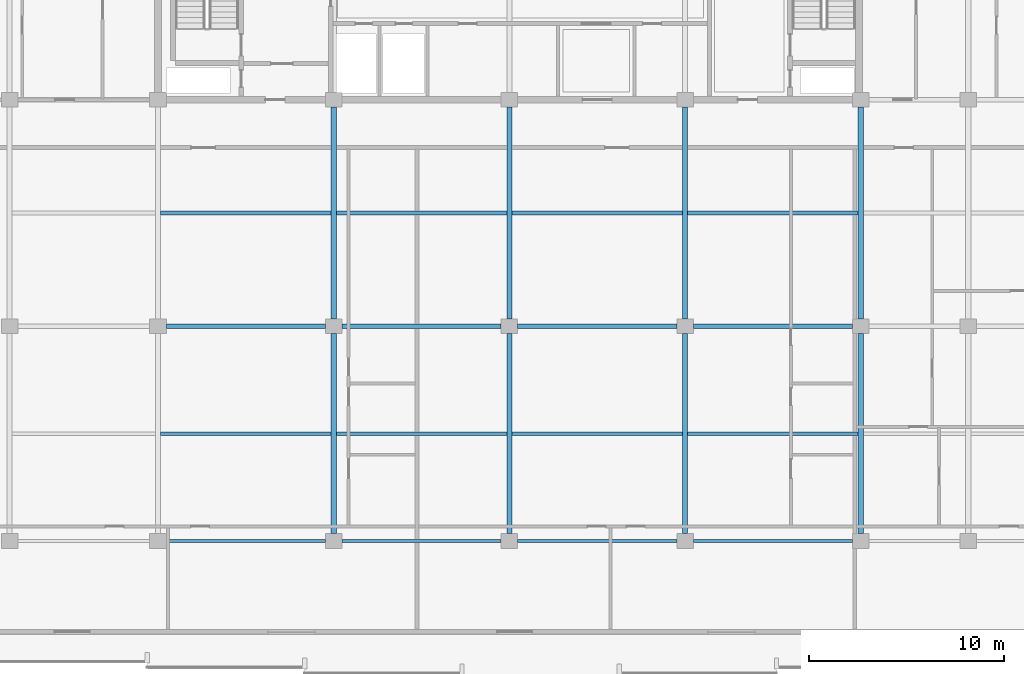
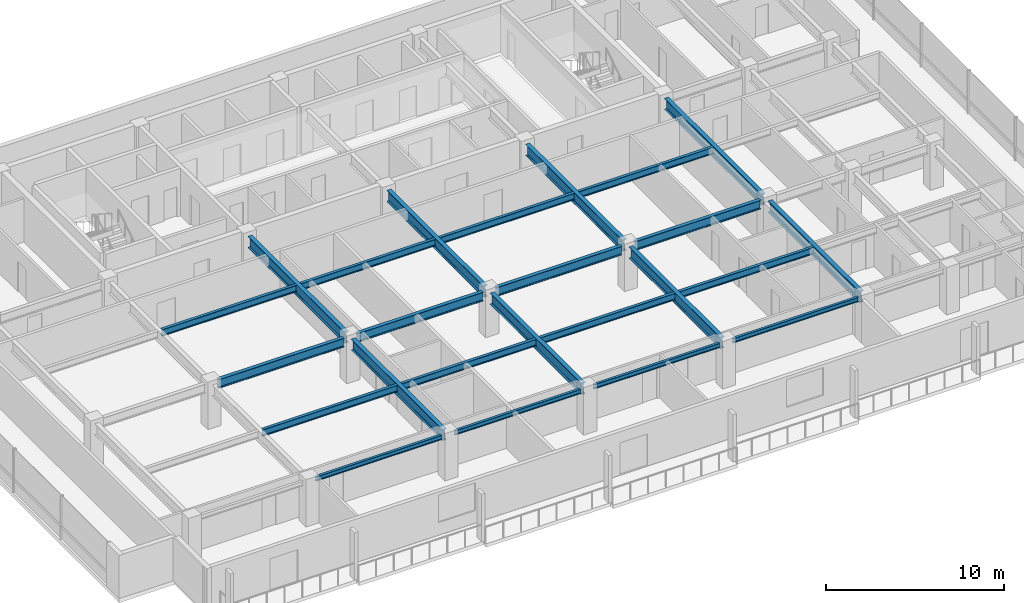
# One storey, part 4 of 38: 24 beams.
"""IFC4 building model written with IfcOpenShell, lengths in metres."""

import ifcopenshell
import ifcopenshell.guid

model = None  # the IFC model being written
_history = None  # IfcOwnerHistory: only IFC2X3 demands one
_inside = {}  # id of a spatial element -> (the spatial element, [elements in it])
_under = {}  # id of a project, library or spatial element -> (it, [spatial elements below it])
_declared = {}  # id of a project -> (the project, [libraries it declares])
_typed = {}  # id of a type object -> (the type object, [elements of that type])
_made_of = {}  # id of a material, layer set ... -> (it, [elements and type objects made of it])


def new_model(schema):
    """Start an empty IFC model of exactly this schema.

    Asked for "IFC4X3", IfcOpenShell would pick the latest addendum, in which some entities
    have other attributes; the version numbers below select the first issue.
    IFC2X3 requires an IfcOwnerHistory on every rooted entity: one is made here for all.
    """
    global model, _history
    if schema == "IFC4X3":
        model = ifcopenshell.file(schema_version=(4, 3, 0, 0))
    else:
        model = ifcopenshell.file(schema=schema)
    _inside.clear()
    _under.clear()
    _declared.clear()
    _typed.clear()
    _made_of.clear()
    _history = None
    if model.schema == "IFC2X3":
        org = make("IfcOrganization", Name="unknown")
        user = make(
            "IfcPersonAndOrganization",
            ThePerson=make("IfcPerson", FamilyName="unknown"),
            TheOrganization=org,
        )
        app = make(
            "IfcApplication",
            ApplicationDeveloper=org,
            Version="unknown",
            ApplicationFullName="unknown",
            ApplicationIdentifier="unknown",
        )
        _history = make(
            "IfcOwnerHistory",
            OwningUser=user,
            OwningApplication=app,
            ChangeAction="ADDED",
            CreationDate=0,
        )
    return model


def make(cls, **values):
    """One entity of the class cls with the attributes given. An attribute that is None is left unset."""
    return model.create_entity(
        cls, **{name: value for name, value in values.items() if value is not None}
    )


def rooted(cls, **values):
    """An entity with a GlobalId (a new one), such as an element, a storey or a relation."""
    return make(cls, GlobalId=ifcopenshell.guid.new(), OwnerHistory=_history, **values)


def si_unit(unit_type, name, prefix=None):
    """IfcSIUnit, for example si_unit("LENGTHUNIT", "METRE", prefix="MILLI")."""
    return make("IfcSIUnit", UnitType=unit_type, Prefix=prefix, Name=name)


def assignment(units):
    """IfcUnitAssignment: the units of a project."""
    return None if units is None else make("IfcUnitAssignment", Units=units)


def point(xyz):
    """IfcCartesianPoint."""
    return None if xyz is None else make("IfcCartesianPoint", Coordinates=xyz)


def direction(xyz):
    """IfcDirection."""
    return None if xyz is None else make("IfcDirection", DirectionRatios=xyz)


def frame(location, z_axis=None, x_axis=None):
    """IfcAxis2Placement3D, a coordinate frame: its origin and axes. An axis left out is left unset."""
    return make(
        "IfcAxis2Placement3D",
        Location=point(location),
        Axis=direction(z_axis),
        RefDirection=direction(x_axis),
    )


def frame_2d(location, x_axis=None):
    """IfcAxis2Placement2D, a coordinate frame in the plane: its origin and x axis."""
    return make(
        "IfcAxis2Placement2D", Location=point(location), RefDirection=direction(x_axis)
    )


def origin():
    """The frame at (0, 0, 0) with its axes left unset."""
    return frame((0.0, 0.0, 0.0))


def origin_2d():
    """The frame at (0, 0) in the plane with its x axis left unset."""
    return frame_2d((0.0, 0.0))


def place(relative_to, where):
    """IfcLocalPlacement: puts the frame where relative to a parent placement (None: the world)."""
    return make(
        "IfcLocalPlacement", PlacementRelTo=relative_to, RelativePlacement=where
    )


def context(
    kind, dimensions, precision=None, world=None, true_north=None, identifier=None
):
    """IfcGeometricRepresentationContext, for example the 3D "Model" context."""
    return make(
        "IfcGeometricRepresentationContext",
        ContextIdentifier=identifier,
        ContextType=kind,
        CoordinateSpaceDimension=dimensions,
        Precision=precision,
        WorldCoordinateSystem=world,
        TrueNorth=true_north,
    )


def subcontext(parent, identifier, kind, view, scale=None):
    """IfcGeometricRepresentationSubContext, for example "Body" below "Model"."""
    return make(
        "IfcGeometricRepresentationSubContext",
        ContextIdentifier=identifier,
        ContextType=kind,
        ParentContext=parent,
        TargetScale=scale,
        TargetView=view,
    )


def project(units=None, contexts=None):
    """IfcProject with its units and contexts."""
    return rooted(
        "IfcProject",
        Name="project",
        RepresentationContexts=contexts,
        UnitsInContext=assignment(units),
    )


def spatial(cls, under=None, at=None, **own):
    """A site, building, storey or space (cls), placed at a placement, below another one or the project."""
    s = rooted(cls, ObjectPlacement=at, **own)
    if under is not None:
        _under.setdefault(under.id(), (under, []))[1].append(s)
    return s


def profile(cls, at=None, kind="AREA", **sizes):
    """A parametric profile (cls). Its sizes go by their IFC names, for example OverallWidth=200.0."""
    return make(cls, ProfileType=kind, Position=at, **sizes)


def i_section(**sizes):
    """IfcIShapeProfileDef."""
    return profile("IfcIShapeProfileDef", **sizes)


def extrude(swept, where, along, depth):
    """IfcExtrudedAreaSolid: the profile swept, set in the frame where, extruded along a direction by depth."""
    return make(
        "IfcExtrudedAreaSolid",
        SweptArea=swept,
        Position=where,
        ExtrudedDirection=direction(along),
        Depth=depth,
    )


def shape(context_of_items, identifier, shape_type, items):
    """IfcShapeRepresentation: the items that make up one representation, for example the "Body"."""
    return make(
        "IfcShapeRepresentation",
        ContextOfItems=context_of_items,
        RepresentationIdentifier=identifier,
        RepresentationType=shape_type,
        Items=items,
    )


def material(Name=None, Category=None):
    """IfcMaterial."""
    return make("IfcMaterial", Name=Name, Category=Category)


def material_profile(
    of_material, cross_section, Name=None, Category=None, Priority=None
):
    """IfcMaterialProfile: a cross section and its material."""
    return make(
        "IfcMaterialProfile",
        Name=Name,
        Material=of_material,
        Profile=cross_section,
        Priority=Priority,
        Category=Category,
    )


def profile_set(profiles, Name=None, composite=None):
    """IfcMaterialProfileSet."""
    return make(
        "IfcMaterialProfileSet",
        Name=Name,
        MaterialProfiles=profiles,
        CompositeProfile=composite,
    )


def made_of(thing, what):
    """Note that an element or type object is made of a material, layer set ...; save() writes the relation."""
    if what is not None:
        _made_of.setdefault(what.id(), (what, []))[1].append(thing)
    return thing


def type_object(cls, material=None, **own):
    """A type object (cls), such as IfcWallType, which elements share."""
    return made_of(rooted(cls, **own), material)


def element(
    cls,
    number,
    at=None,
    inside=None,
    cuts=None,
    type_object=None,
    material=None,
    context=None,
    identifier="Body",
    shape_type=None,
    held_by="IfcProductDefinitionShape",
    body=None,
    shapes=None,
    **own,
):
    """One element of the class cls, such as IfcWall. Its Tag is "e" and its number.

    at: its placement. inside: the storey or other place that contains it. cuts: it is an
    opening in that element (IfcRelVoidsElement). A single representation is given by context,
    identifier, shape_type and body (its items); several are given by shapes. held_by: the class
    of the entity that holds the representations. save() writes the other relations.
    """
    e = rooted(cls, Tag="e%d" % number, ObjectPlacement=at, **own)
    if body is not None:
        shapes = [shape(context, identifier, shape_type, body)]
    if shapes is not None:
        e.Representation = make(held_by, Representations=shapes)
    if inside is not None:
        _inside.setdefault(inside.id(), (inside, []))[1].append(e)
    if cuts is not None:
        rooted(
            "IfcRelVoidsElement", RelatingBuildingElement=cuts, RelatedOpeningElement=e
        )
    if type_object is not None:
        _typed.setdefault(type_object.id(), (type_object, []))[1].append(e)
    return made_of(e, material)


def aggregate(whole, parts):
    """IfcRelAggregates: a whole, such as a stair, and the parts it consists of."""
    return rooted("IfcRelAggregates", RelatingObject=whole, RelatedObjects=parts)


def save(model, path):
    """Write the relations noted so far, then the file.

    IfcRelAggregates (storeys below a building ...), IfcRelContainedInSpatialStructure (elements
    in a storey), IfcRelDefinesByType, IfcRelAssociatesMaterial and IfcRelDeclares: one each for
    every whole, place, type object, material and project.
    """
    for whole, parts in _under.values():
        aggregate(whole, parts)
    for where, things in _inside.values():
        rooted(
            "IfcRelContainedInSpatialStructure",
            RelatedElements=things,
            RelatingStructure=where,
        )
    for kind, things in _typed.values():
        rooted("IfcRelDefinesByType", RelatedObjects=things, RelatingType=kind)
    for what, things in _made_of.values():
        rooted("IfcRelAssociatesMaterial", RelatedObjects=things, RelatingMaterial=what)
    for by, libraries in _declared.values():
        rooted("IfcRelDeclares", RelatingContext=by, RelatedDefinitions=libraries)
    model.write(path)


model = new_model("IFC4")

# Units and contexts
model_context = context("Model", 3, precision=1e-05, world=origin(), true_north=direction((0.0, 1.0)))
body_context = subcontext(model_context, "Body", "Model", "MODEL_VIEW")
ifc_project = project(units=[si_unit("LENGTHUNIT", "METRE"), si_unit("AREAUNIT", "SQUARE_METRE"), si_unit("VOLUMEUNIT", "CUBIC_METRE"), si_unit("PLANEANGLEUNIT", "RADIAN"), si_unit("MASSUNIT", "GRAM", prefix="KILO")], contexts=[model_context])

# Site, building, storey
site_placement = place(None, origin())
site = spatial("IfcSite", under=ifc_project, at=site_placement, CompositionType="ELEMENT")
building_placement = place(site_placement, origin())
building = spatial("IfcBuilding", under=site, at=building_placement, Name="Korimba Cascade Residences", CompositionType="ELEMENT")
storey_placement = place(building_placement, frame((0.0, 0.0, 93.800048828125)))
storey = spatial("IfcBuildingStorey", under=building, at=storey_placement, Name="L26", CompositionType="ELEMENT", Elevation=93.800048828125)

# Beams
ifc_material = material(Name="Steel S355", Category="steel")
ifc_material_profile_1 = material_profile(ifc_material, i_section(OverallWidth=0.165771484375, OverallDepth=0.306640625, WebThickness=0.006591796875, FlangeThickness=0.01171875, FilletRadius=0.0087890625, at=origin_2d()), Name="Steel S355")
ifc_profile_set_1 = profile_set([ifc_material_profile_1], Name="Steel S355")
beam_type_1 = type_object("IfcBeamType", Name="BM-STL-UB305", PredefinedType="SPANDREL", material=ifc_profile_set_1)
for number, where, z_axis, x_axis, name in (
    (1, (82.52490234375, -4.199951171875, 2.816650390625), (1.0, 0.0, 0.0), (0.0, 1.0, 0.0), "L26 T2 E-W Girder Y1 Bay 2"),
    (2, (91.52490234375, -4.199951171875, 2.816650390625), (1.0, 0.0, 0.0), (0.0, 1.0, 0.0), "L26 T2 E-W Girder Y1 Bay 3"),
    (3, (100.52490234375, -4.199951171875, 2.816650390625), (1.0, 0.0, 0.0), (0.0, 1.0, 0.0), "L26 T2 E-W Girder Y1 Bay 4"),
    (4, (109.52490234375, -4.199951171875, 2.816650390625), (1.0, 0.0, 0.0), (0.0, 1.0, 0.0), "L26 T2 E-W Girder Y1 Bay 5"),
):
    element("IfcBeam", number, at=place(storey_placement, frame(where, z_axis=z_axis, x_axis=x_axis)), inside=storey, type_object=beam_type_1, Name=name, PredefinedType="SPANDREL", context=body_context, shape_type="SweptSolid", body=[
        extrude(i_section(OverallWidth=0.165771484375, OverallDepth=0.306640625, WebThickness=0.006591796875, FlangeThickness=0.01171875, FilletRadius=0.0087890625, at=origin_2d()), origin(), (0.0, 0.0, 1.0), 8.150146484375),
    ])
ifc_material_profile_2 = material_profile(ifc_material, i_section(OverallWidth=0.19140625, OverallDepth=0.4599609375, WebThickness=0.010009765625, FlangeThickness=0.01611328125, FilletRadius=0.01025390625, at=origin_2d()), Name="Steel S355")
ifc_profile_set_2 = profile_set([ifc_material_profile_2], Name="Steel S355")
beam_type_2 = type_object("IfcBeamType", Name="BM-STL-UB457", PredefinedType="JOIST", material=ifc_profile_set_2)
for number, where, z_axis, x_axis, name in (
    (5, (82.23388671875, 1.300048828125, 2.739990234375), (1.0, 0.0, 0.0), (0.0, 1.0, 0.0), "L26 T2 Floor Joist 1.2"),
    (6, (91.23388671875, 1.300048828125, 2.739990234375), (1.0, 0.0, 0.0), (0.0, 1.0, 0.0), "L26 T2 Floor Joist 1.3"),
    (7, (100.23388671875, 1.300048828125, 2.739990234375), (1.0, 0.0, 0.0), (0.0, 1.0, 0.0), "L26 T2 Floor Joist 1.4"),
    (8, (109.23388671875, 1.300048828125, 2.739990234375), (1.0, 0.0, 0.0), (0.0, 1.0, 0.0), "L26 T2 Floor Joist 1.5"),
    (9, (82.23388671875, 12.60009765625, 2.739990234375), (1.0, 0.0, 0.0), (0.0, 1.0, 0.0), "L26 T2 Floor Joist 2.2"),
    (10, (91.23388671875, 12.60009765625, 2.739990234375), (1.0, 0.0, 0.0), (0.0, 1.0, 0.0), "L26 T2 Floor Joist 2.3"),
    (11, (100.23388671875, 12.60009765625, 2.739990234375), (1.0, 0.0, 0.0), (0.0, 1.0, 0.0), "L26 T2 Floor Joist 2.4"),
    (12, (109.23388671875, 12.60009765625, 2.739990234375), (1.0, 0.0, 0.0), (0.0, 1.0, 0.0), "L26 T2 Floor Joist 2.5"),
):
    element("IfcBeam", number, at=place(storey_placement, frame(where, z_axis=z_axis, x_axis=x_axis)), inside=storey, type_object=beam_type_2, Name=name, PredefinedType="JOIST", context=body_context, shape_type="SweptSolid", body=[
        extrude(i_section(OverallWidth=0.19140625, OverallDepth=0.4599609375, WebThickness=0.010009765625, FlangeThickness=0.01611328125, FilletRadius=0.01025390625, at=origin_2d()), origin(), (0.0, 0.0, 1.0), 8.732177734375),
    ])
ifc_material_profile_3 = material_profile(ifc_material, i_section(OverallWidth=0.22900390625, OverallDepth=0.6123046875, WebThickness=0.011962890625, FlangeThickness=0.01953125, FilletRadius=0.0126953125, at=origin_2d()), Name="Steel S355")
ifc_profile_set_3 = profile_set([ifc_material_profile_3], Name="Steel S355")
beam_type_3 = type_object("IfcBeamType", Name="BM-STL-UB610B", PredefinedType="BEAM", material=ifc_profile_set_3)
for number, where, z_axis, x_axis, name in (
    (13, (82.52490234375, 6.800048828125, 2.663818359375), (1.0, 0.0, 0.0), (0.0, 1.0, 0.0), "L26 T2 E-W Girder Y2 Bay 2"),
    (14, (91.52490234375, 6.800048828125, 2.663818359375), (1.0, 0.0, 0.0), (0.0, 1.0, 0.0), "L26 T2 E-W Girder Y2 Bay 3"),
    (15, (100.52490234375, 6.800048828125, 2.663818359375), (1.0, 0.0, 0.0), (0.0, 1.0, 0.0), "L26 T2 E-W Girder Y2 Bay 4"),
    (16, (109.52490234375, 6.800048828125, 2.663818359375), (1.0, 0.0, 0.0), (0.0, 1.0, 0.0), "L26 T2 E-W Girder Y2 Bay 5"),
):
    element("IfcBeam", number, at=place(storey_placement, frame(where, z_axis=z_axis, x_axis=x_axis)), inside=storey, type_object=beam_type_3, Name=name, PredefinedType="BEAM", context=body_context, shape_type="SweptSolid", body=[
        extrude(i_section(OverallWidth=0.22900390625, OverallDepth=0.6123046875, WebThickness=0.011962890625, FlangeThickness=0.01953125, FilletRadius=0.0126953125, at=origin_2d()), origin(), (0.0, 0.0, 1.0), 8.150146484375),
    ])
ifc_material_profile_4 = material_profile(ifc_material, i_section(OverallWidth=0.26806640625, OverallDepth=0.769775390625, WebThickness=0.015625, FlangeThickness=0.025390625, FilletRadius=0.0166015625, at=origin_2d()), Name="Steel S355")
ifc_profile_set_4 = profile_set([ifc_material_profile_4], Name="Steel S355")
beam_type_4 = type_object("IfcBeamType", Name="BM-STL-UB762", PredefinedType="BEAM", material=ifc_profile_set_4)
beam_1_placement = place(storey_placement, frame((91.10009765625, -3.824951171875, 2.5849609375), z_axis=(0.0, 1.0, 0.0), x_axis=(-1.0, 0.0, 0.0)))
element("IfcBeam", 17, at=beam_1_placement, inside=storey, type_object=beam_type_4, Name="L26 T2 N-S Girder X3 Seg 1", PredefinedType="BEAM", context=body_context, shape_type="SweptSolid", body=[
    extrude(i_section(OverallWidth=0.26806640625, OverallDepth=0.769775390625, WebThickness=0.015625, FlangeThickness=0.025390625, FilletRadius=0.0166015625, at=origin_2d()), origin(), (0.0, 0.0, 1.0), 10.25),
])
beam_2_placement = place(storey_placement, frame((91.10009765625, 7.175048828125, 2.5849609375), z_axis=(0.0, 1.0, 0.0), x_axis=(-1.0, 0.0, 0.0)))
element("IfcBeam", 18, at=beam_2_placement, inside=storey, type_object=beam_type_4, Name="L26 T2 N-S Girder X3 Seg 2", PredefinedType="BEAM", context=body_context, shape_type="SweptSolid", body=[
    extrude(i_section(OverallWidth=0.26806640625, OverallDepth=0.769775390625, WebThickness=0.015625, FlangeThickness=0.025390625, FilletRadius=0.0166015625, at=origin_2d()), origin(), (0.0, 0.0, 1.0), 10.849853515625),
])
beam_3_placement = place(storey_placement, frame((100.10009765625, -3.824951171875, 2.5849609375), z_axis=(0.0, 1.0, 0.0), x_axis=(-1.0, 0.0, 0.0)))
element("IfcBeam", 19, at=beam_3_placement, inside=storey, type_object=beam_type_4, Name="L26 T2 N-S Girder X4 Seg 1", PredefinedType="BEAM", context=body_context, shape_type="SweptSolid", body=[
    extrude(i_section(OverallWidth=0.26806640625, OverallDepth=0.769775390625, WebThickness=0.015625, FlangeThickness=0.025390625, FilletRadius=0.0166015625, at=origin_2d()), origin(), (0.0, 0.0, 1.0), 10.25),
])
beam_4_placement = place(storey_placement, frame((100.10009765625, 7.175048828125, 2.5849609375), z_axis=(0.0, 1.0, 0.0), x_axis=(-1.0, 0.0, 0.0)))
element("IfcBeam", 20, at=beam_4_placement, inside=storey, type_object=beam_type_4, Name="L26 T2 N-S Girder X4 Seg 2", PredefinedType="BEAM", context=body_context, shape_type="SweptSolid", body=[
    extrude(i_section(OverallWidth=0.26806640625, OverallDepth=0.769775390625, WebThickness=0.015625, FlangeThickness=0.025390625, FilletRadius=0.0166015625, at=origin_2d()), origin(), (0.0, 0.0, 1.0), 10.849853515625),
])
beam_5_placement = place(storey_placement, frame((109.10009765625, -3.824951171875, 2.5849609375), z_axis=(0.0, 1.0, 0.0), x_axis=(-1.0, 0.0, 0.0)))
element("IfcBeam", 21, at=beam_5_placement, inside=storey, type_object=beam_type_4, Name="L26 T2 N-S Girder X5 Seg 1", PredefinedType="BEAM", context=body_context, shape_type="SweptSolid", body=[
    extrude(i_section(OverallWidth=0.26806640625, OverallDepth=0.769775390625, WebThickness=0.015625, FlangeThickness=0.025390625, FilletRadius=0.0166015625, at=origin_2d()), origin(), (0.0, 0.0, 1.0), 10.25),
])
beam_6_placement = place(storey_placement, frame((109.10009765625, 7.175048828125, 2.5849609375), z_axis=(0.0, 1.0, 0.0), x_axis=(-1.0, 0.0, 0.0)))
element("IfcBeam", 22, at=beam_6_placement, inside=storey, type_object=beam_type_4, Name="L26 T2 N-S Girder X5 Seg 2", PredefinedType="BEAM", context=body_context, shape_type="SweptSolid", body=[
    extrude(i_section(OverallWidth=0.26806640625, OverallDepth=0.769775390625, WebThickness=0.015625, FlangeThickness=0.025390625, FilletRadius=0.0166015625, at=origin_2d()), origin(), (0.0, 0.0, 1.0), 10.849853515625),
])
beam_7_placement = place(storey_placement, frame((118.10009765625, -3.824951171875, 2.5849609375), z_axis=(0.0, 1.0, 0.0), x_axis=(-1.0, 0.0, 0.0)))
element("IfcBeam", 23, at=beam_7_placement, inside=storey, type_object=beam_type_4, Name="L26 T2 N-S Girder X6 Seg 1", PredefinedType="BEAM", context=body_context, shape_type="SweptSolid", body=[
    extrude(i_section(OverallWidth=0.26806640625, OverallDepth=0.769775390625, WebThickness=0.015625, FlangeThickness=0.025390625, FilletRadius=0.0166015625, at=origin_2d()), origin(), (0.0, 0.0, 1.0), 10.25),
])
beam_8_placement = place(storey_placement, frame((118.10009765625, 7.175048828125, 2.5849609375), z_axis=(0.0, 1.0, 0.0), x_axis=(-1.0, 0.0, 0.0)))
element("IfcBeam", 24, at=beam_8_placement, inside=storey, type_object=beam_type_4, Name="L26 T2 N-S Girder X6 Seg 2", PredefinedType="BEAM", context=body_context, shape_type="SweptSolid", body=[
    extrude(i_section(OverallWidth=0.26806640625, OverallDepth=0.769775390625, WebThickness=0.015625, FlangeThickness=0.025390625, FilletRadius=0.0166015625, at=origin_2d()), origin(), (0.0, 0.0, 1.0), 10.849853515625),
])

save(model, "model.ifc")
